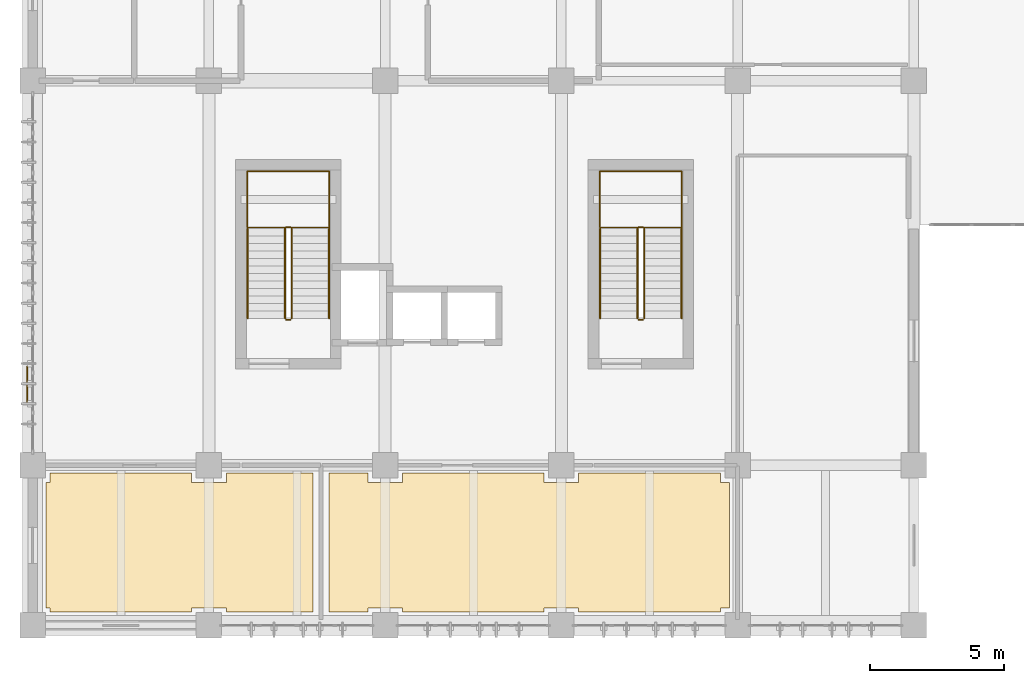
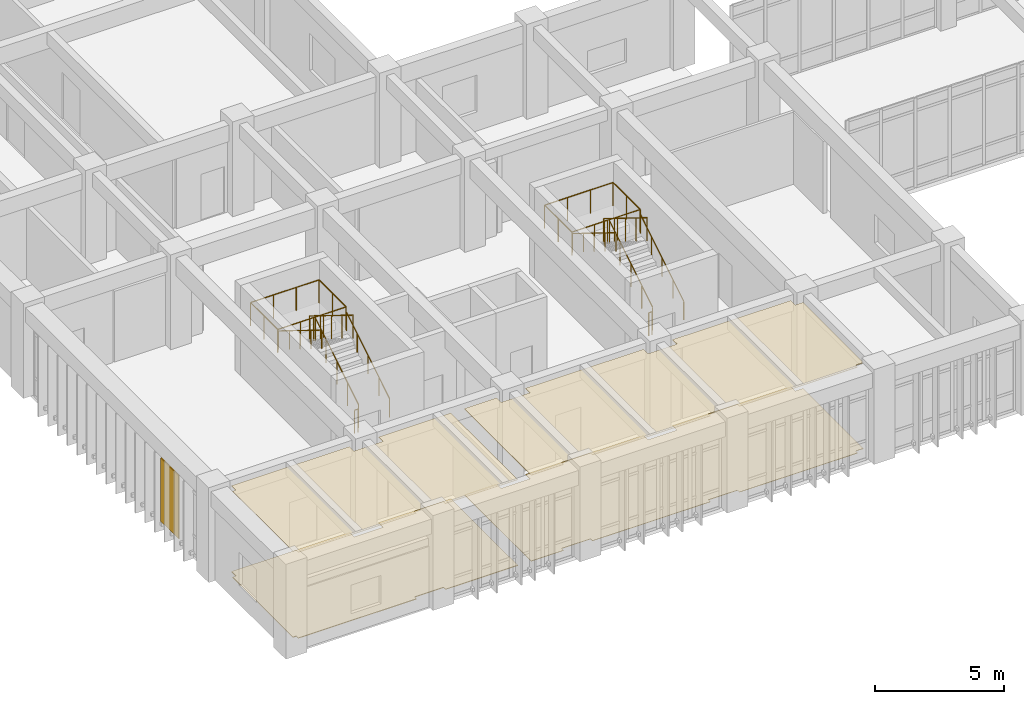
# One storey, part 53 of 57: 16 railings, 5 coverings.
"""IFC4 building model written with IfcOpenShell, lengths in metres."""

from ifc_helpers import new_model, si_unit, direction, frame, origin, origin_2d, place, context, subcontext, project, spatial, polyline, rectangle, circle, outline, extrude, material, layer, layer_set, type_object, element, save


model = new_model("IFC4")

# Units and contexts
model_context = context("Model", 3, precision=1e-05, world=origin(), true_north=direction((0.0, 1.0)))
body_context = subcontext(model_context, "Body", "Model", "MODEL_VIEW")
ifc_project = project(units=[si_unit("LENGTHUNIT", "METRE"), si_unit("AREAUNIT", "SQUARE_METRE"), si_unit("VOLUMEUNIT", "CUBIC_METRE"), si_unit("PLANEANGLEUNIT", "RADIAN"), si_unit("MASSUNIT", "GRAM", prefix="KILO")], contexts=[model_context])

# Site, building, storey
site_placement = place(None, origin())
site = spatial("IfcSite", under=ifc_project, at=site_placement, CompositionType="ELEMENT")
building_placement = place(site_placement, origin())
building = spatial("IfcBuilding", under=site, at=building_placement, Name="Miralva Faculty of Natural Sciences", CompositionType="ELEMENT")
storey_placement = place(building_placement, frame((0.0, 0.0, 15.0)))
storey = spatial("IfcBuildingStorey", under=building, at=storey_placement, Name="L03", CompositionType="ELEMENT", Elevation=15.0)

# Coverings
ifc_material_1 = material(Name="Volcanic tuff architectural stone", Category="masonry")
ifc_layer_1 = layer(ifc_material_1, 0.044921875, Name="COV-CD01")
ifc_layer_set_1 = layer_set([ifc_layer_1], Name="Volcanic tuff architectural stone")
covering_type_1 = type_object("IfcCoveringType", Name="COV-CD01", PredefinedType="CLADDING", material=ifc_layer_set_1)
covering_1_placement = place(storey_placement, frame((2.800048828125, 12.0, 0.300048828125), z_axis=(0.0, 0.0, 1.0), x_axis=(1.0, 0.0, 0.0)))
element("IfcCovering", 1, at=covering_1_placement, inside=storey, type_object=covering_type_1, Name="Volcanic tuff stone corner fascia cladding L03", PredefinedType="CLADDING", context=body_context, shape_type="SweptSolid", body=[
    extrude(rectangle(XDim=0.044921875, YDim=1.39990234375, at=origin_2d()), origin(), (0.0, 0.0, 1.0), 3.0),
])
ifc_material_2 = material(Name="Acoustic mineral-fibre board")
ifc_layer_2 = layer(ifc_material_2, 0.02197265625, Name="COV-CL01")
ifc_layer_set_2 = layer_set([ifc_layer_2], Name="Acoustic mineral-fibre board")
covering_type_2 = type_object("IfcCoveringType", Name="COV-CL01", PredefinedType="CEILING", material=ifc_layer_set_2)
covering_2_placement = place(storey_placement, frame((0.0, 0.0, 4.077880859375)))
element("IfcCovering", 2, at=covering_2_placement, inside=storey, type_object=covering_type_2, Name="Suspended acoustic ceiling L03-01", PredefinedType="CEILING", context=body_context, shape_type="SweptSolid", body=[
    extrude(outline(polyline([(8.949951171875, 8.699951171875), (8.949951171875, 8.35009765625), (10.25, 8.35009765625), (10.25, 8.699951171875), (13.5, 8.699951171875), (13.5, 3.5), (10.25, 3.5), (10.25, 3.64990234375), (8.949951171875, 3.64990234375), (8.949951171875, 3.5), (3.64990234375, 3.5), (3.64990234375, 3.64990234375), (3.5, 3.64990234375), (3.5, 8.35009765625), (3.64990234375, 8.35009765625), (3.64990234375, 8.699951171875), (8.949951171875, 8.699951171875)])), origin(), (0.0, 0.0, 1.0), 0.022216796875),
])
ifc_material_3 = material(Name="Gypsum plasterboard")
ifc_layer_3 = layer(ifc_material_3, 0.028076171875, Name="COV-CL02")
ifc_layer_set_3 = layer_set([ifc_layer_3], Name="Gypsum plasterboard")
covering_type_3 = type_object("IfcCoveringType", Name="COV-CL02", PredefinedType="CEILING", material=ifc_layer_set_3)
covering_3_placement = place(storey_placement, frame((0.0, 0.0, 4.072021484375)))
element("IfcCovering", 3, at=covering_3_placement, inside=storey, type_object=covering_type_3, Name="Suspended acoustic ceiling L03-02", PredefinedType="CEILING", context=body_context, shape_type="SweptSolid", body=[
    extrude(outline(polyline([(15.550048828125, 8.699951171875), (15.550048828125, 8.35009765625), (16.85009765625, 8.35009765625), (16.85009765625, 8.699951171875), (22.14990234375, 8.699951171875), (22.14990234375, 8.35009765625), (23.449951171875, 8.35009765625), (23.449951171875, 8.699951171875), (28.75, 8.699951171875), (28.75, 8.35009765625), (29.10009765625, 8.35009765625), (29.10009765625, 3.64990234375), (28.75, 3.64990234375), (28.75, 3.5), (23.449951171875, 3.5), (23.449951171875, 3.64990234375), (22.14990234375, 3.64990234375), (22.14990234375, 3.5), (16.85009765625, 3.5), (16.85009765625, 3.64990234375), (15.550048828125, 3.64990234375), (15.550048828125, 3.5), (14.10009765625, 3.5), (14.10009765625, 8.699951171875), (15.550048828125, 8.699951171875)])), origin(), (0.0, 0.0, 1.0), 0.028076171875),
])
ifc_material_4 = material(Name="Polished terrazzo flooring")
ifc_layer_4 = layer(ifc_material_4, 0.030029296875, Name="COV-FL01")
ifc_layer_set_4 = layer_set([ifc_layer_4], Name="Polished terrazzo flooring")
covering_type_4 = type_object("IfcCoveringType", Name="COV-FL01", PredefinedType="FLOORING", material=ifc_layer_set_4)
covering_4_placement = place(storey_placement, origin())
element("IfcCovering", 4, at=covering_4_placement, inside=storey, type_object=covering_type_4, Name="Finished flooring L03-01", PredefinedType="FLOORING", context=body_context, shape_type="SweptSolid", body=[
    extrude(outline(polyline([(8.949951171875, 8.699951171875), (8.949951171875, 8.35009765625), (10.25, 8.35009765625), (10.25, 8.699951171875), (13.5, 8.699951171875), (13.5, 3.5), (10.25, 3.5), (10.25, 3.64990234375), (8.949951171875, 3.64990234375), (8.949951171875, 3.5), (3.64990234375, 3.5), (3.64990234375, 3.64990234375), (3.5, 3.64990234375), (3.5, 8.35009765625), (3.64990234375, 8.35009765625), (3.64990234375, 8.699951171875), (8.949951171875, 8.699951171875)])), origin(), (0.0, 0.0, 1.0), 0.030029296875),
])
ifc_layer_5 = layer(ifc_material_4, 0.01806640625, Name="COV-FL02")
ifc_layer_set_5 = layer_set([ifc_layer_5], Name="Polished terrazzo flooring")
covering_type_5 = type_object("IfcCoveringType", Name="COV-FL02", PredefinedType="FLOORING", material=ifc_layer_set_5)
covering_5_placement = place(storey_placement, origin())
element("IfcCovering", 5, at=covering_5_placement, inside=storey, type_object=covering_type_5, Name="Finished flooring L03-02", PredefinedType="FLOORING", context=body_context, shape_type="SweptSolid", body=[
    extrude(outline(polyline([(15.550048828125, 8.699951171875), (15.550048828125, 8.35009765625), (16.85009765625, 8.35009765625), (16.85009765625, 8.699951171875), (22.14990234375, 8.699951171875), (22.14990234375, 8.35009765625), (23.449951171875, 8.35009765625), (23.449951171875, 8.699951171875), (28.75, 8.699951171875), (28.75, 8.35009765625), (29.10009765625, 8.35009765625), (29.10009765625, 3.64990234375), (28.75, 3.64990234375), (28.75, 3.5), (23.449951171875, 3.5), (23.449951171875, 3.64990234375), (22.14990234375, 3.64990234375), (22.14990234375, 3.5), (16.85009765625, 3.5), (16.85009765625, 3.64990234375), (15.550048828125, 3.64990234375), (15.550048828125, 3.5), (14.10009765625, 3.5), (14.10009765625, 8.699951171875), (15.550048828125, 8.699951171875)])), origin(), (0.0, 0.0, 1.0), 0.01806640625),
])

# Railings
ifc_material_5 = material(Name="Steel S355", Category="steel")
railing_type_1 = type_object("IfcRailingType", Name="RL-GR01", PredefinedType="GUARDRAIL", material=ifc_material_5)
railing_1_placement = place(storey_placement, frame((12.699951171875, 14.5, 0.173095703125)))
element("IfcRailing", 6, at=railing_1_placement, inside=storey, type_object=railing_type_1, Name="Stair Core C1 safety guard L03-1", PredefinedType="GUARDRAIL", context=body_context, shape_type="SweptSolid", body=[
    extrude(circle(Radius=0.02392578125, at=origin_2d()), frame((0.0, 0.0, 1.09619140625), z_axis=(0.0, 0.850623216509, 0.525775754039), x_axis=(-1.0, 0.0, 0.0)), (0.0, 0.0, 1.0), 3.9501953125),
    extrude(circle(Radius=0.02099609375, at=origin_2d()), origin(), (0.0, 0.0, 1.0), 1.072021484375),
    extrude(circle(Radius=0.02099609375, at=origin_2d()), frame((0.0, 0.840087890625, 0.519287109375)), (0.0, 0.0, 1.0), 1.072021484375),
    extrude(circle(Radius=0.02099609375, at=origin_2d()), frame((0.0, 1.68017578125, 1.03857421875)), (0.0, 0.0, 1.0), 1.072021484375),
    extrude(circle(Radius=0.02099609375, at=origin_2d()), frame((0.0, 2.52001953125, 1.5576171875)), (0.0, 0.0, 1.0), 1.072021484375),
    extrude(circle(Radius=0.02099609375, at=origin_2d()), frame((0.0, 3.360107421875, 2.076904296875)), (0.0, 0.0, 1.0), 1.072021484375),
])
railing_2_placement = place(storey_placement, frame((12.64990234375, 17.909912109375, 2.25)))
element("IfcRailing", 7, at=railing_2_placement, inside=storey, type_object=railing_type_1, Name="Stair Core C1 safety guard L03-2", PredefinedType="GUARDRAIL", context=body_context, shape_type="SweptSolid", body=[
    extrude(circle(Radius=0.02392578125, at=origin_2d()), frame((0.0, 0.0, 1.09619140625), z_axis=(-1.0, 0.0, 0.0), x_axis=(0.0, -1.0, 0.0)), (0.0, 0.0, 1.0), 0.14990234375),
    extrude(circle(Radius=0.02099609375, at=origin_2d()), origin(), (0.0, 0.0, 1.0), 1.072021484375),
    extrude(circle(Radius=0.02099609375, at=origin_2d()), frame((-0.14990234375, 0.0, 0.0)), (0.0, 0.0, 1.0), 1.072021484375),
])
railing_3_placement = place(storey_placement, frame((12.449951171875, 17.860107421875, 2.423095703125)))
element("IfcRailing", 8, at=railing_3_placement, inside=storey, type_object=railing_type_1, Name="Stair Core C1 safety guard L03-3", PredefinedType="GUARDRAIL", context=body_context, shape_type="SweptSolid", body=[
    extrude(circle(Radius=0.02392578125, at=origin_2d()), frame((0.0, 0.0, 1.09619140625), z_axis=(0.0, -0.850623216509, 0.525775754039), x_axis=(1.0, 0.0, 0.0)), (0.0, 0.0, 1.0), 3.9501953125),
    extrude(circle(Radius=0.02099609375, at=origin_2d()), origin(), (0.0, 0.0, 1.0), 1.072021484375),
    extrude(circle(Radius=0.02099609375, at=origin_2d()), frame((0.0, -0.840087890625, 0.519287109375)), (0.0, 0.0, 1.0), 1.072021484375),
    extrude(circle(Radius=0.02099609375, at=origin_2d()), frame((0.0, -1.68017578125, 1.03857421875)), (0.0, 0.0, 1.0), 1.072021484375),
    extrude(circle(Radius=0.02099609375, at=origin_2d()), frame((0.0, -2.52001953125, 1.5576171875)), (0.0, 0.0, 1.0), 1.072021484375),
    extrude(circle(Radius=0.02099609375, at=origin_2d()), frame((0.0, -3.360107421875, 2.076904296875)), (0.0, 0.0, 1.0), 1.072021484375),
])
railing_4_placement = place(storey_placement, frame((12.64990234375, 14.449951171875, 0.0)))
element("IfcRailing", 9, at=railing_4_placement, inside=storey, type_object=railing_type_1, Name="Stair Core C1 safety guard L03-4", PredefinedType="GUARDRAIL", context=body_context, shape_type="SweptSolid", body=[
    extrude(circle(Radius=0.02392578125, at=origin_2d()), frame((0.0, 0.0, 1.09619140625), z_axis=(-1.0, 0.0, 0.0), x_axis=(0.0, -1.0, 0.0)), (0.0, 0.0, 1.0), 0.14990234375),
    extrude(circle(Radius=0.02099609375, at=origin_2d()), origin(), (0.0, 0.0, 1.0), 1.072021484375),
    extrude(circle(Radius=0.02099609375, at=origin_2d()), frame((-0.14990234375, 0.0, 0.0)), (0.0, 0.0, 1.0), 1.072021484375),
])
railing_5_placement = place(storey_placement, frame((11.0400390625, 17.89990234375, 2.25)))
element("IfcRailing", 10, at=railing_5_placement, inside=storey, type_object=railing_type_1, Name="Stair Core C1 half-landing guard L03-1A", PredefinedType="GUARDRAIL", context=body_context, shape_type="SweptSolid", body=[
    extrude(circle(Radius=0.02392578125, at=origin_2d()), frame((0.0, 0.0, 1.09619140625), z_axis=(0.0, 1.0, 0.0), x_axis=(-1.0, 0.0, 0.0)), (0.0, 0.0, 1.0), 2.110107421875),
    extrude(circle(Radius=0.02392578125, at=origin_2d()), frame((0.0, 2.110107421875, 1.09619140625), z_axis=(1.0, 0.0, 0.0), x_axis=(0.0, 1.0, 0.0)), (0.0, 0.0, 1.0), 3.070068359375),
    extrude(circle(Radius=0.02099609375, at=origin_2d()), origin(), (0.0, 0.0, 1.0), 1.072021484375),
    extrude(circle(Radius=0.02099609375, at=origin_2d()), frame((0.0, 1.05517578125, 0.0)), (0.0, 0.0, 1.0), 1.072021484375),
    extrude(circle(Radius=0.02099609375, at=origin_2d()), frame((0.0, 2.110107421875, 0.0)), (0.0, 0.0, 1.0), 1.072021484375),
    extrude(circle(Radius=0.02099609375, at=origin_2d()), frame((1.0234375, 2.110107421875, 0.0)), (0.0, 0.0, 1.0), 1.072021484375),
    extrude(circle(Radius=0.02099609375, at=origin_2d()), frame((2.046630859375, 2.110107421875, 0.0)), (0.0, 0.0, 1.0), 1.072021484375),
    extrude(circle(Radius=0.02099609375, at=origin_2d()), frame((3.070068359375, 2.110107421875, 0.0)), (0.0, 0.0, 1.0), 1.072021484375),
])
railing_6_placement = place(storey_placement, frame((14.110107421875, 20.010009765625, 2.25)))
element("IfcRailing", 11, at=railing_6_placement, inside=storey, type_object=railing_type_1, Name="Stair Core C1 half-landing guard L03-1B", PredefinedType="GUARDRAIL", context=body_context, shape_type="SweptSolid", body=[
    extrude(circle(Radius=0.02392578125, at=origin_2d()), frame((0.0, 0.0, 1.09619140625), z_axis=(0.0, -1.0, 0.0), x_axis=(1.0, 0.0, 0.0)), (0.0, 0.0, 1.0), 2.110107421875),
    extrude(circle(Radius=0.02392578125, at=origin_2d()), frame((0.0, -2.110107421875, 1.09619140625), z_axis=(-1.0, 0.0, 0.0), x_axis=(0.0, -1.0, 0.0)), (0.0, 0.0, 1.0), 3.070068359375),
    extrude(circle(Radius=0.02099609375, at=origin_2d()), origin(), (0.0, 0.0, 1.0), 1.072021484375),
    extrude(circle(Radius=0.02099609375, at=origin_2d()), frame((0.0, -1.05517578125, 0.0)), (0.0, 0.0, 1.0), 1.072021484375),
    extrude(circle(Radius=0.02099609375, at=origin_2d()), frame((0.0, -2.110107421875, 0.0)), (0.0, 0.0, 1.0), 1.072021484375),
    extrude(circle(Radius=0.02099609375, at=origin_2d()), frame((-1.0234375, -2.110107421875, 0.0)), (0.0, 0.0, 1.0), 1.072021484375),
    extrude(circle(Radius=0.02099609375, at=origin_2d()), frame((-2.046630859375, -2.110107421875, 0.0)), (0.0, 0.0, 1.0), 1.072021484375),
    extrude(circle(Radius=0.02099609375, at=origin_2d()), frame((-3.070068359375, -2.110107421875, 0.0)), (0.0, 0.0, 1.0), 1.072021484375),
])
railing_7_placement = place(storey_placement, frame((25.89990234375, 14.5, 0.173095703125)))
element("IfcRailing", 12, at=railing_7_placement, inside=storey, type_object=railing_type_1, Name="Stair Core C1B safety guard L03-1", PredefinedType="GUARDRAIL", context=body_context, shape_type="SweptSolid", body=[
    extrude(circle(Radius=0.02392578125, at=origin_2d()), frame((0.0, 0.0, 1.09619140625), z_axis=(0.0, 0.850623216509, 0.525775754039), x_axis=(-1.0, 0.0, 0.0)), (0.0, 0.0, 1.0), 3.9501953125),
    extrude(circle(Radius=0.02099609375, at=origin_2d()), origin(), (0.0, 0.0, 1.0), 1.072021484375),
    extrude(circle(Radius=0.02099609375, at=origin_2d()), frame((0.0, 0.840087890625, 0.519287109375)), (0.0, 0.0, 1.0), 1.072021484375),
    extrude(circle(Radius=0.02099609375, at=origin_2d()), frame((0.0, 1.68017578125, 1.03857421875)), (0.0, 0.0, 1.0), 1.072021484375),
    extrude(circle(Radius=0.02099609375, at=origin_2d()), frame((0.0, 2.52001953125, 1.5576171875)), (0.0, 0.0, 1.0), 1.072021484375),
    extrude(circle(Radius=0.02099609375, at=origin_2d()), frame((0.0, 3.360107421875, 2.076904296875)), (0.0, 0.0, 1.0), 1.072021484375),
])
railing_8_placement = place(storey_placement, frame((25.85009765625, 17.909912109375, 2.25)))
element("IfcRailing", 13, at=railing_8_placement, inside=storey, type_object=railing_type_1, Name="Stair Core C1B safety guard L03-2", PredefinedType="GUARDRAIL", context=body_context, shape_type="SweptSolid", body=[
    extrude(circle(Radius=0.02392578125, at=origin_2d()), frame((0.0, 0.0, 1.09619140625), z_axis=(-1.0, 0.0, 0.0), x_axis=(0.0, -1.0, 0.0)), (0.0, 0.0, 1.0), 0.150146484375),
    extrude(circle(Radius=0.02099609375, at=origin_2d()), origin(), (0.0, 0.0, 1.0), 1.072021484375),
    extrude(circle(Radius=0.02099609375, at=origin_2d()), frame((-0.150146484375, 0.0, 0.0)), (0.0, 0.0, 1.0), 1.072021484375),
])
railing_9_placement = place(storey_placement, frame((25.64990234375, 17.860107421875, 2.423095703125)))
element("IfcRailing", 14, at=railing_9_placement, inside=storey, type_object=railing_type_1, Name="Stair Core C1B safety guard L03-3", PredefinedType="GUARDRAIL", context=body_context, shape_type="SweptSolid", body=[
    extrude(circle(Radius=0.02392578125, at=origin_2d()), frame((0.0, 0.0, 1.09619140625), z_axis=(0.0, -0.850623216509, 0.525775754039), x_axis=(1.0, 0.0, 0.0)), (0.0, 0.0, 1.0), 3.9501953125),
    extrude(circle(Radius=0.02099609375, at=origin_2d()), origin(), (0.0, 0.0, 1.0), 1.072021484375),
    extrude(circle(Radius=0.02099609375, at=origin_2d()), frame((0.0, -0.840087890625, 0.519287109375)), (0.0, 0.0, 1.0), 1.072021484375),
    extrude(circle(Radius=0.02099609375, at=origin_2d()), frame((0.0, -1.68017578125, 1.03857421875)), (0.0, 0.0, 1.0), 1.072021484375),
    extrude(circle(Radius=0.02099609375, at=origin_2d()), frame((0.0, -2.52001953125, 1.5576171875)), (0.0, 0.0, 1.0), 1.072021484375),
    extrude(circle(Radius=0.02099609375, at=origin_2d()), frame((0.0, -3.360107421875, 2.076904296875)), (0.0, 0.0, 1.0), 1.072021484375),
])
railing_10_placement = place(storey_placement, frame((25.85009765625, 14.449951171875, 0.0)))
element("IfcRailing", 15, at=railing_10_placement, inside=storey, type_object=railing_type_1, Name="Stair Core C1B safety guard L03-4", PredefinedType="GUARDRAIL", context=body_context, shape_type="SweptSolid", body=[
    extrude(circle(Radius=0.02392578125, at=origin_2d()), frame((0.0, 0.0, 1.09619140625), z_axis=(-1.0, 0.0, 0.0), x_axis=(0.0, -1.0, 0.0)), (0.0, 0.0, 1.0), 0.150146484375),
    extrude(circle(Radius=0.02099609375, at=origin_2d()), origin(), (0.0, 0.0, 1.0), 1.072021484375),
    extrude(circle(Radius=0.02099609375, at=origin_2d()), frame((-0.150146484375, 0.0, 0.0)), (0.0, 0.0, 1.0), 1.072021484375),
])
railing_11_placement = place(storey_placement, frame((24.239990234375, 17.89990234375, 2.25)))
element("IfcRailing", 16, at=railing_11_placement, inside=storey, type_object=railing_type_1, Name="Stair Core C1B half-landing guard L03-1A", PredefinedType="GUARDRAIL", context=body_context, shape_type="SweptSolid", body=[
    extrude(circle(Radius=0.02392578125, at=origin_2d()), frame((0.0, 0.0, 1.09619140625), z_axis=(0.0, 1.0, 0.0), x_axis=(-1.0, 0.0, 0.0)), (0.0, 0.0, 1.0), 2.110107421875),
    extrude(circle(Radius=0.02392578125, at=origin_2d()), frame((0.0, 2.110107421875, 1.09619140625), z_axis=(1.0, 0.0, 0.0), x_axis=(0.0, 1.0, 0.0)), (0.0, 0.0, 1.0), 3.070068359375),
    extrude(circle(Radius=0.02099609375, at=origin_2d()), origin(), (0.0, 0.0, 1.0), 1.072021484375),
    extrude(circle(Radius=0.02099609375, at=origin_2d()), frame((0.0, 1.05517578125, 0.0)), (0.0, 0.0, 1.0), 1.072021484375),
    extrude(circle(Radius=0.02099609375, at=origin_2d()), frame((0.0, 2.110107421875, 0.0)), (0.0, 0.0, 1.0), 1.072021484375),
    extrude(circle(Radius=0.02099609375, at=origin_2d()), frame((1.0234375, 2.110107421875, 0.0)), (0.0, 0.0, 1.0), 1.072021484375),
    extrude(circle(Radius=0.02099609375, at=origin_2d()), frame((2.046630859375, 2.110107421875, 0.0)), (0.0, 0.0, 1.0), 1.072021484375),
    extrude(circle(Radius=0.02099609375, at=origin_2d()), frame((3.070068359375, 2.110107421875, 0.0)), (0.0, 0.0, 1.0), 1.072021484375),
])
railing_12_placement = place(storey_placement, frame((27.31005859375, 20.010009765625, 2.25)))
element("IfcRailing", 17, at=railing_12_placement, inside=storey, type_object=railing_type_1, Name="Stair Core C1B half-landing guard L03-1B", PredefinedType="GUARDRAIL", context=body_context, shape_type="SweptSolid", body=[
    extrude(circle(Radius=0.02392578125, at=origin_2d()), frame((0.0, 0.0, 1.09619140625), z_axis=(0.0, -1.0, 0.0), x_axis=(1.0, 0.0, 0.0)), (0.0, 0.0, 1.0), 2.110107421875),
    extrude(circle(Radius=0.02392578125, at=origin_2d()), frame((0.0, -2.110107421875, 1.09619140625), z_axis=(-1.0, 0.0, 0.0), x_axis=(0.0, -1.0, 0.0)), (0.0, 0.0, 1.0), 3.070068359375),
    extrude(circle(Radius=0.02099609375, at=origin_2d()), origin(), (0.0, 0.0, 1.0), 1.072021484375),
    extrude(circle(Radius=0.02099609375, at=origin_2d()), frame((0.0, -1.05517578125, 0.0)), (0.0, 0.0, 1.0), 1.072021484375),
    extrude(circle(Radius=0.02099609375, at=origin_2d()), frame((0.0, -2.110107421875, 0.0)), (0.0, 0.0, 1.0), 1.072021484375),
    extrude(circle(Radius=0.02099609375, at=origin_2d()), frame((-1.0234375, -2.110107421875, 0.0)), (0.0, 0.0, 1.0), 1.072021484375),
    extrude(circle(Radius=0.02099609375, at=origin_2d()), frame((-2.046630859375, -2.110107421875, 0.0)), (0.0, 0.0, 1.0), 1.072021484375),
    extrude(circle(Radius=0.02099609375, at=origin_2d()), frame((-3.070068359375, -2.110107421875, 0.0)), (0.0, 0.0, 1.0), 1.072021484375),
])
railing_type_2 = type_object("IfcRailingType", Name="RL-HR01", PredefinedType="HANDRAIL", material=ifc_material_5)
railing_13_placement = place(storey_placement, frame((14.10009765625, 14.5, 0.173095703125)))
element("IfcRailing", 18, at=railing_13_placement, inside=storey, type_object=railing_type_2, Name="Stair Core C1 handrail L03-1", PredefinedType="HANDRAIL", context=body_context, shape_type="SweptSolid", body=[
    extrude(circle(Radius=0.02392578125, at=origin_2d()), frame((0.0, 0.0, 0.8759765625), z_axis=(0.0, 0.850623216509, 0.525775754039), x_axis=(-1.0, 0.0, 0.0)), (0.0, 0.0, 1.0), 3.9501953125),
    extrude(circle(Radius=0.02099609375, at=origin_2d()), origin(), (0.0, 0.0, 1.0), 0.851806640625),
    extrude(circle(Radius=0.02099609375, at=origin_2d()), frame((0.0, 0.840087890625, 0.519287109375)), (0.0, 0.0, 1.0), 0.851806640625),
    extrude(circle(Radius=0.02099609375, at=origin_2d()), frame((0.0, 1.68017578125, 1.03857421875)), (0.0, 0.0, 1.0), 0.851806640625),
    extrude(circle(Radius=0.02099609375, at=origin_2d()), frame((0.0, 2.52001953125, 1.5576171875)), (0.0, 0.0, 1.0), 0.851806640625),
    extrude(circle(Radius=0.02099609375, at=origin_2d()), frame((0.0, 3.360107421875, 2.076904296875)), (0.0, 0.0, 1.0), 0.851806640625),
])
railing_14_placement = place(storey_placement, frame((11.050048828125, 17.860107421875, 2.423095703125)))
element("IfcRailing", 19, at=railing_14_placement, inside=storey, type_object=railing_type_2, Name="Stair Core C1 handrail L03-2", PredefinedType="HANDRAIL", context=body_context, shape_type="SweptSolid", body=[
    extrude(circle(Radius=0.02392578125, at=origin_2d()), frame((0.0, 0.0, 0.8759765625), z_axis=(0.0, -0.850623216509, 0.525775754039), x_axis=(1.0, 0.0, 0.0)), (0.0, 0.0, 1.0), 3.9501953125),
    extrude(circle(Radius=0.02099609375, at=origin_2d()), origin(), (0.0, 0.0, 1.0), 0.851806640625),
    extrude(circle(Radius=0.02099609375, at=origin_2d()), frame((0.0, -0.840087890625, 0.519287109375)), (0.0, 0.0, 1.0), 0.851806640625),
    extrude(circle(Radius=0.02099609375, at=origin_2d()), frame((0.0, -1.68017578125, 1.03857421875)), (0.0, 0.0, 1.0), 0.851806640625),
    extrude(circle(Radius=0.02099609375, at=origin_2d()), frame((0.0, -2.52001953125, 1.5576171875)), (0.0, 0.0, 1.0), 0.851806640625),
    extrude(circle(Radius=0.02099609375, at=origin_2d()), frame((0.0, -3.360107421875, 2.076904296875)), (0.0, 0.0, 1.0), 0.851806640625),
])
railing_15_placement = place(storey_placement, frame((27.300048828125, 14.5, 0.173095703125)))
element("IfcRailing", 20, at=railing_15_placement, inside=storey, type_object=railing_type_2, Name="Stair Core C1B handrail L03-1", PredefinedType="HANDRAIL", context=body_context, shape_type="SweptSolid", body=[
    extrude(circle(Radius=0.02392578125, at=origin_2d()), frame((0.0, 0.0, 0.8759765625), z_axis=(0.0, 0.850623216509, 0.525775754039), x_axis=(-1.0, 0.0, 0.0)), (0.0, 0.0, 1.0), 3.9501953125),
    extrude(circle(Radius=0.02099609375, at=origin_2d()), origin(), (0.0, 0.0, 1.0), 0.851806640625),
    extrude(circle(Radius=0.02099609375, at=origin_2d()), frame((0.0, 0.840087890625, 0.519287109375)), (0.0, 0.0, 1.0), 0.851806640625),
    extrude(circle(Radius=0.02099609375, at=origin_2d()), frame((0.0, 1.68017578125, 1.03857421875)), (0.0, 0.0, 1.0), 0.851806640625),
    extrude(circle(Radius=0.02099609375, at=origin_2d()), frame((0.0, 2.52001953125, 1.5576171875)), (0.0, 0.0, 1.0), 0.851806640625),
    extrude(circle(Radius=0.02099609375, at=origin_2d()), frame((0.0, 3.360107421875, 2.076904296875)), (0.0, 0.0, 1.0), 0.851806640625),
])
railing_16_placement = place(storey_placement, frame((24.25, 17.860107421875, 2.423095703125)))
element("IfcRailing", 21, at=railing_16_placement, inside=storey, type_object=railing_type_2, Name="Stair Core C1B handrail L03-2", PredefinedType="HANDRAIL", context=body_context, shape_type="SweptSolid", body=[
    extrude(circle(Radius=0.02392578125, at=origin_2d()), frame((0.0, 0.0, 0.8759765625), z_axis=(0.0, -0.850623216509, 0.525775754039), x_axis=(1.0, 0.0, 0.0)), (0.0, 0.0, 1.0), 3.9501953125),
    extrude(circle(Radius=0.02099609375, at=origin_2d()), origin(), (0.0, 0.0, 1.0), 0.851806640625),
    extrude(circle(Radius=0.02099609375, at=origin_2d()), frame((0.0, -0.840087890625, 0.519287109375)), (0.0, 0.0, 1.0), 0.851806640625),
    extrude(circle(Radius=0.02099609375, at=origin_2d()), frame((0.0, -1.68017578125, 1.03857421875)), (0.0, 0.0, 1.0), 0.851806640625),
    extrude(circle(Radius=0.02099609375, at=origin_2d()), frame((0.0, -2.52001953125, 1.5576171875)), (0.0, 0.0, 1.0), 0.851806640625),
    extrude(circle(Radius=0.02099609375, at=origin_2d()), frame((0.0, -3.360107421875, 2.076904296875)), (0.0, 0.0, 1.0), 0.851806640625),
])

save(model, "model.ifc")
